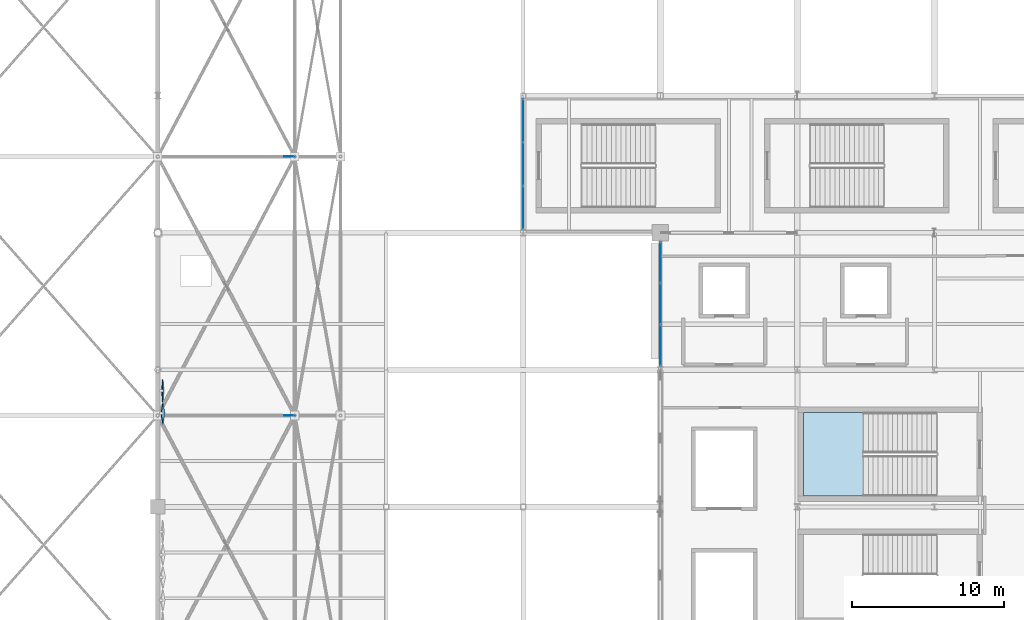
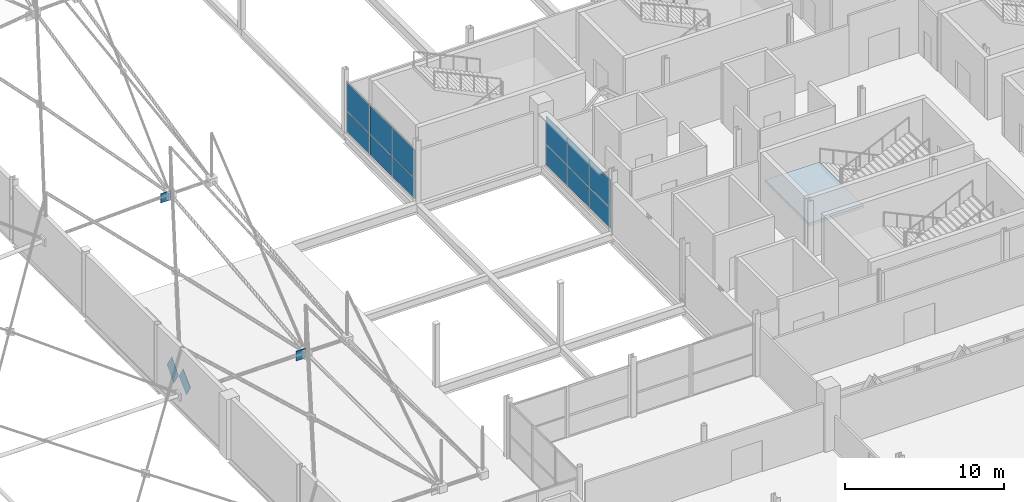
# One storey, part 172 of 224: 16 plates, 1 slab, 3 elements without a shape of their own.
"""IFC4 building model written with IfcOpenShell, lengths in metres."""

from ifc_helpers import new_model, si_unit, direction, frame, origin, origin_2d, place, context, subcontext, project, spatial, polyline, rectangle, outline, extrude, material, layer, layer_set, type_object, element, aggregate, save


model = new_model("IFC4")

# Units and contexts
model_context = context("Model", 3, precision=1e-05, world=origin(), true_north=direction((0.0, 1.0)))
body_context = subcontext(model_context, "Body", "Model", "MODEL_VIEW")
ifc_project = project(units=[si_unit("LENGTHUNIT", "METRE"), si_unit("AREAUNIT", "SQUARE_METRE"), si_unit("VOLUMEUNIT", "CUBIC_METRE"), si_unit("PLANEANGLEUNIT", "RADIAN"), si_unit("MASSUNIT", "GRAM", prefix="KILO")], contexts=[model_context])

# Site, building, storey
site_placement = place(None, origin())
site = spatial("IfcSite", under=ifc_project, at=site_placement, CompositionType="ELEMENT")
building_placement = place(site_placement, origin())
building = spatial("IfcBuilding", under=site, at=building_placement, Name="Qamarlyn Nura Convention Centre", CompositionType="ELEMENT")
storey_placement = place(building_placement, frame((0.0, 0.0, 10.800048828125)))
storey = spatial("IfcBuildingStorey", under=building, at=storey_placement, Name="L02", CompositionType="ELEMENT", Elevation=10.800048828125)

# Curtain wall, plates
ifc_material_1 = material(Name="Double-silver low-E insulated glass", Category="glass")
ifc_layer_1 = layer(ifc_material_1, 0.179931640625, Name="CW-UNIT-100")
ifc_layer_set_1 = layer_set([ifc_layer_1], Name="Double-silver low-E insulated glass")
curtain_wall_type_1 = type_object("IfcCurtainWallType", Name="CW-UNIT-100", PredefinedType="NOTDEFINED", material=ifc_layer_set_1)
curtain_wall_1_placement = place(storey_placement, origin())
curtain_wall_1 = element("IfcCurtainWall", 1, at=curtain_wall_1_placement, inside=storey, type_object=curtain_wall_type_1, Name="L02 unitised curtain wall CRT-72-1", PredefinedType="NOTDEFINED")
ifc_layer_2 = layer(ifc_material_1, 0.028076171875, Name="CWP-VIS-28")
ifc_layer_set_2 = layer_set([ifc_layer_2], Name="Double-silver low-E insulated glass")
plate_type_1 = type_object("IfcPlateType", Name="CWP-VIS-28", PredefinedType="CURTAIN_PANEL", material=ifc_layer_set_2)
plate_1_placement = place(storey_placement, frame((153.0, 73.60302734375, 0.06982421875), z_axis=(0.0, 0.0, 1.0), x_axis=(0.0, 1.0, 0.0)))
plate_1 = element("IfcPlate", 2, at=plate_1_placement, type_object=plate_type_1, Name="CW100 panel 1.1", PredefinedType="CURTAIN_PANEL", context=body_context, shape_type="SweptSolid", body=[
    extrude(rectangle(XDim=2.640869140625, YDim=0.028076171875, at=origin_2d()), origin(), (0.0, 0.0, 1.0), 1.532958984375),
])
plate_2_placement = place(storey_placement, frame((153.0, 73.60302734375, 1.6728515625), z_axis=(0.0, 0.0, 1.0), x_axis=(0.0, 1.0, 0.0)))
plate_2 = element("IfcPlate", 3, at=plate_2_placement, type_object=plate_type_1, Name="CW100 panel 1.2", PredefinedType="CURTAIN_PANEL", context=body_context, shape_type="SweptSolid", body=[
    extrude(rectangle(XDim=2.640869140625, YDim=0.028076171875, at=origin_2d()), origin(), (0.0, 0.0, 1.0), 2.157958984375),
])
plate_3_placement = place(storey_placement, frame((153.0, 76.331298828125, 0.06982421875), z_axis=(0.0, 0.0, 1.0), x_axis=(0.0, 1.0, 0.0)))
plate_3 = element("IfcPlate", 4, at=plate_3_placement, type_object=plate_type_1, Name="CW100 panel 2.1", PredefinedType="CURTAIN_PANEL", context=body_context, shape_type="SweptSolid", body=[
    extrude(rectangle(XDim=2.67578125, YDim=0.028076171875, at=origin_2d()), origin(), (0.0, 0.0, 1.0), 1.532958984375),
])
plate_4_placement = place(storey_placement, frame((153.0, 76.331298828125, 1.6728515625), z_axis=(0.0, 0.0, 1.0), x_axis=(0.0, 1.0, 0.0)))
plate_4 = element("IfcPlate", 5, at=plate_4_placement, type_object=plate_type_1, Name="CW100 panel 2.2", PredefinedType="CURTAIN_PANEL", context=body_context, shape_type="SweptSolid", body=[
    extrude(rectangle(XDim=2.67578125, YDim=0.028076171875, at=origin_2d()), origin(), (0.0, 0.0, 1.0), 2.157958984375),
])
plate_5_placement = place(storey_placement, frame((153.0, 79.0595703125, 0.06982421875), z_axis=(0.0, 0.0, 1.0), x_axis=(0.0, 1.0, 0.0)))
plate_5 = element("IfcPlate", 6, at=plate_5_placement, type_object=plate_type_1, Name="CW100 panel 3.1", PredefinedType="CURTAIN_PANEL", context=body_context, shape_type="SweptSolid", body=[
    extrude(rectangle(XDim=2.640869140625, YDim=0.028076171875, at=origin_2d()), origin(), (0.0, 0.0, 1.0), 1.532958984375),
])
plate_6_placement = place(storey_placement, frame((153.0, 79.0595703125, 1.6728515625), z_axis=(0.0, 0.0, 1.0), x_axis=(0.0, 1.0, 0.0)))
plate_6 = element("IfcPlate", 7, at=plate_6_placement, type_object=plate_type_1, Name="CW100 panel 3.2", PredefinedType="CURTAIN_PANEL", context=body_context, shape_type="SweptSolid", body=[
    extrude(rectangle(XDim=2.640869140625, YDim=0.028076171875, at=origin_2d()), origin(), (0.0, 0.0, 1.0), 2.157958984375),
])
aggregate(curtain_wall_1, [plate_1, plate_2, plate_3, plate_4, plate_5, plate_6])

ifc_layer_3 = layer(ifc_material_1, 0.179931640625, Name="CW-UNIT-111")
ifc_layer_set_3 = layer_set([ifc_layer_3], Name="Double-silver low-E insulated glass")
curtain_wall_type_2 = type_object("IfcCurtainWallType", Name="CW-UNIT-111", PredefinedType="NOTDEFINED", material=ifc_layer_set_3)
curtain_wall_2_placement = place(storey_placement, origin())
curtain_wall_2 = element("IfcCurtainWall", 8, at=curtain_wall_2_placement, inside=storey, type_object=curtain_wall_type_2, Name="L02 unitised curtain wall PLW-81-1", PredefinedType="NOTDEFINED")
ifc_layer_4 = layer(ifc_material_1, 0.031982421875, Name="CWP-VIS-32")
ifc_layer_set_4 = layer_set([ifc_layer_4], Name="Double-silver low-E insulated glass")
plate_type_2 = type_object("IfcPlateType", Name="CWP-VIS-32", PredefinedType="CURTAIN_PANEL", material=ifc_layer_set_4)
plate_7_placement = place(storey_placement, frame((144.0, 82.64208984375, 0.06494140625), z_axis=(0.0, 0.0, 1.0), x_axis=(0.0, 1.0, 0.0)))
plate_7 = element("IfcPlate", 9, at=plate_7_placement, type_object=plate_type_2, Name="CW111 panel 1.1", PredefinedType="CURTAIN_PANEL", context=body_context, shape_type="SweptSolid", body=[
    extrude(rectangle(XDim=2.7822265625, YDim=0.031982421875, at=origin_2d()), origin(), (0.0, 0.0, 1.0), 1.53662109375),
])
plate_8_placement = place(storey_placement, frame((144.0, 82.64208984375, 1.66650390625), z_axis=(0.0, 0.0, 1.0), x_axis=(0.0, 1.0, 0.0)))
plate_8 = element("IfcPlate", 10, at=plate_8_placement, type_object=plate_type_2, Name="CW111 panel 1.2", PredefinedType="CURTAIN_PANEL", context=body_context, shape_type="SweptSolid", body=[
    extrude(rectangle(XDim=2.7822265625, YDim=0.031982421875, at=origin_2d()), origin(), (0.0, 0.0, 1.0), 2.158447265625),
])
plate_9_placement = place(storey_placement, frame((144.0, 85.505615234375, 0.06494140625), z_axis=(0.0, 0.0, 1.0), x_axis=(0.0, 1.0, 0.0)))
plate_9 = element("IfcPlate", 11, at=plate_9_placement, type_object=plate_type_2, Name="CW111 panel 2.1", PredefinedType="CURTAIN_PANEL", context=body_context, shape_type="SweptSolid", body=[
    extrude(rectangle(XDim=2.814697265625, YDim=0.031982421875, at=origin_2d()), origin(), (0.0, 0.0, 1.0), 1.53662109375),
])
plate_10_placement = place(storey_placement, frame((144.0, 85.505615234375, 1.66650390625), z_axis=(0.0, 0.0, 1.0), x_axis=(0.0, 1.0, 0.0)))
plate_10 = element("IfcPlate", 12, at=plate_10_placement, type_object=plate_type_2, Name="CW111 panel 2.2", PredefinedType="CURTAIN_PANEL", context=body_context, shape_type="SweptSolid", body=[
    extrude(rectangle(XDim=2.814697265625, YDim=0.031982421875, at=origin_2d()), origin(), (0.0, 0.0, 1.0), 2.158447265625),
])
plate_11_placement = place(storey_placement, frame((144.0, 88.368896484375, 0.06494140625), z_axis=(0.0, 0.0, 1.0), x_axis=(0.0, 1.0, 0.0)))
plate_11 = element("IfcPlate", 13, at=plate_11_placement, type_object=plate_type_2, Name="CW111 panel 3.1", PredefinedType="CURTAIN_PANEL", context=body_context, shape_type="SweptSolid", body=[
    extrude(rectangle(XDim=2.7822265625, YDim=0.031982421875, at=origin_2d()), origin(), (0.0, 0.0, 1.0), 1.53662109375),
])
plate_12_placement = place(storey_placement, frame((144.0, 88.368896484375, 1.66650390625), z_axis=(0.0, 0.0, 1.0), x_axis=(0.0, 1.0, 0.0)))
plate_12 = element("IfcPlate", 14, at=plate_12_placement, type_object=plate_type_2, Name="CW111 panel 3.2", PredefinedType="CURTAIN_PANEL", context=body_context, shape_type="SweptSolid", body=[
    extrude(rectangle(XDim=2.7822265625, YDim=0.031982421875, at=origin_2d()), origin(), (0.0, 0.0, 1.0), 2.158447265625),
])
aggregate(curtain_wall_2, [plate_7, plate_8, plate_9, plate_10, plate_11, plate_12])

# Plates
ifc_material_2 = material(Name="White high-albedo PVDF aluminium composite sheet", Category="aluminium")
ifc_layer_5 = layer(ifc_material_2, 0.02392578125, Name="FP-DIAM-03")
ifc_layer_set_5 = layer_set([ifc_layer_5], Name="White high-albedo PVDF aluminium composite sheet")
plate_type_3 = type_object("IfcPlateType", Name="FP-DIAM-03", PredefinedType="SHEET", material=ifc_layer_set_5)
plate_13_placement = place(storey_placement, frame((120.31005859375, 70.635986328125, 1.699951171875), z_axis=(0.998059468659, 0.0, 0.062267945373), x_axis=(0.0, 1.0, 0.0)))
element("IfcPlate", 15, at=plate_13_placement, inside=storey, type_object=plate_type_3, Name="L02 pivoted white diamond facade tile 0319", PredefinedType="SHEET", context=body_context, shape_type="SweptSolid", body=[
    extrude(outline(polyline([(-0.719970703125, 0.0), (0.0, -1.050048828125), (0.719970703125, 0.0), (0.0, 1.050048828125), (-0.719970703125, 0.0)])), origin(), (0.0, 0.0, 1.0), 0.02392578125),
])
ifc_layer_6 = layer(ifc_material_2, 0.0380859375, Name="FP-DIAM-07")
ifc_layer_set_6 = layer_set([ifc_layer_6], Name="White high-albedo PVDF aluminium composite sheet")
plate_type_4 = type_object("IfcPlateType", Name="FP-DIAM-07", PredefinedType="SHEET", material=ifc_layer_set_6)
plate_14_placement = place(storey_placement, frame((120.31005859375, 69.135986328125, 1.699951171875), z_axis=(0.99271534578, 0.0, 0.120483369194), x_axis=(0.0, 1.0, 0.0)))
element("IfcPlate", 16, at=plate_14_placement, inside=storey, type_object=plate_type_4, Name="L02 pivoted white diamond facade tile 0320", PredefinedType="SHEET", context=body_context, shape_type="SweptSolid", body=[
    extrude(outline(polyline([(-0.719970703125, 0.0), (0.0, -1.050048828125), (0.719970703125, 0.0), (0.0, 1.050048828125), (-0.719970703125, 0.0)])), origin(), (0.0, 0.0, 1.0), 0.0380859375),
])
ifc_material_3 = material(Name="Structural steel ASTM A572 Grade 50", Category="steel")
ifc_layer_7 = layer(ifc_material_3, 0.035888671875, Name="GP-SN1")
ifc_layer_set_7 = layer_set([ifc_layer_7], Name="Structural steel ASTM A572 Grade 50")
plate_type_5 = type_object("IfcPlateType", Name="GP-SN1", PredefinedType="USERDEFINED", material=ifc_layer_set_7)
plate_15_placement = place(storey_placement, frame((128.67578125, 86.0, 2.3701171875), z_axis=(0.0, 0.0, 1.0), x_axis=(1.0, 0.0, 0.0)))
element("IfcPlate", 17, at=plate_15_placement, inside=storey, type_object=plate_type_5, Name="Tree strut gusset plate E-6-H", ObjectType="GUSSET PLATE", PredefinedType="USERDEFINED", context=body_context, shape_type="SweptSolid", body=[
    extrude(rectangle(XDim=0.719970703125, YDim=0.035888671875, at=origin_2d()), origin(), (0.0, 0.0, 1.0), 0.719970703125),
])
ifc_layer_8 = layer(ifc_material_3, 0.048095703125, Name="GP-SN3")
ifc_layer_set_8 = layer_set([ifc_layer_8], Name="Structural steel ASTM A572 Grade 50")
plate_type_6 = type_object("IfcPlateType", Name="GP-SN3", PredefinedType="USERDEFINED", material=ifc_layer_set_8)
plate_16_placement = place(storey_placement, frame((128.662109375, 69.0, 0.60791015625), z_axis=(0.0, 0.0, 1.0), x_axis=(1.0, 0.0, 0.0)))
element("IfcPlate", 18, at=plate_16_placement, inside=storey, type_object=plate_type_6, Name="Tree strut gusset plate E-5-H", ObjectType="GUSSET PLATE", PredefinedType="USERDEFINED", context=body_context, shape_type="SweptSolid", body=[
    extrude(rectangle(XDim=0.719970703125, YDim=0.048095703125, at=origin_2d()), origin(), (0.0, 0.0, 1.0), 0.719970703125),
])

# Stair, slab
ifc_material_4 = material(Name="Concrete C40/50", Category="concrete")
stair_type = type_object("IfcStairType", Name="STAIR-EXIT-48", PredefinedType="HALF_TURN_STAIR", material=ifc_material_4)
stair_placement = place(storey_placement, origin())
stair = element("IfcStair", 19, at=stair_placement, inside=storey, type_object=stair_type, Name="L02 Enclosed exit stair ST-12", PredefinedType="HALF_TURN_STAIR")
ifc_layer_9 = layer(ifc_material_4, 0.199951171875, Name="SL-LAND-200")
ifc_layer_set_9 = layer_set([ifc_layer_9], Name="Concrete C40/50")
slab_type = type_object("IfcSlabType", Name="SL-LAND-200", PredefinedType="LANDING", material=ifc_layer_set_9)
slab_placement = place(storey_placement, frame((0.0, 0.0, 2.199951171875)))
slab = element("IfcSlab", 20, at=slab_placement, type_object=slab_type, Name="ST-12 landing 1", PredefinedType="LANDING", context=body_context, shape_type="SweptSolid", body=[
    extrude(outline(polyline([(166.340087890625, 69.199951171875), (162.39990234375, 69.199951171875), (162.39990234375, 63.699951171875), (166.340087890625, 63.699951171875), (166.340087890625, 69.199951171875)])), origin(), (0.0, 0.0, 1.0), 0.199951171875),
])
aggregate(stair, [slab])

save(model, "model.ifc")
